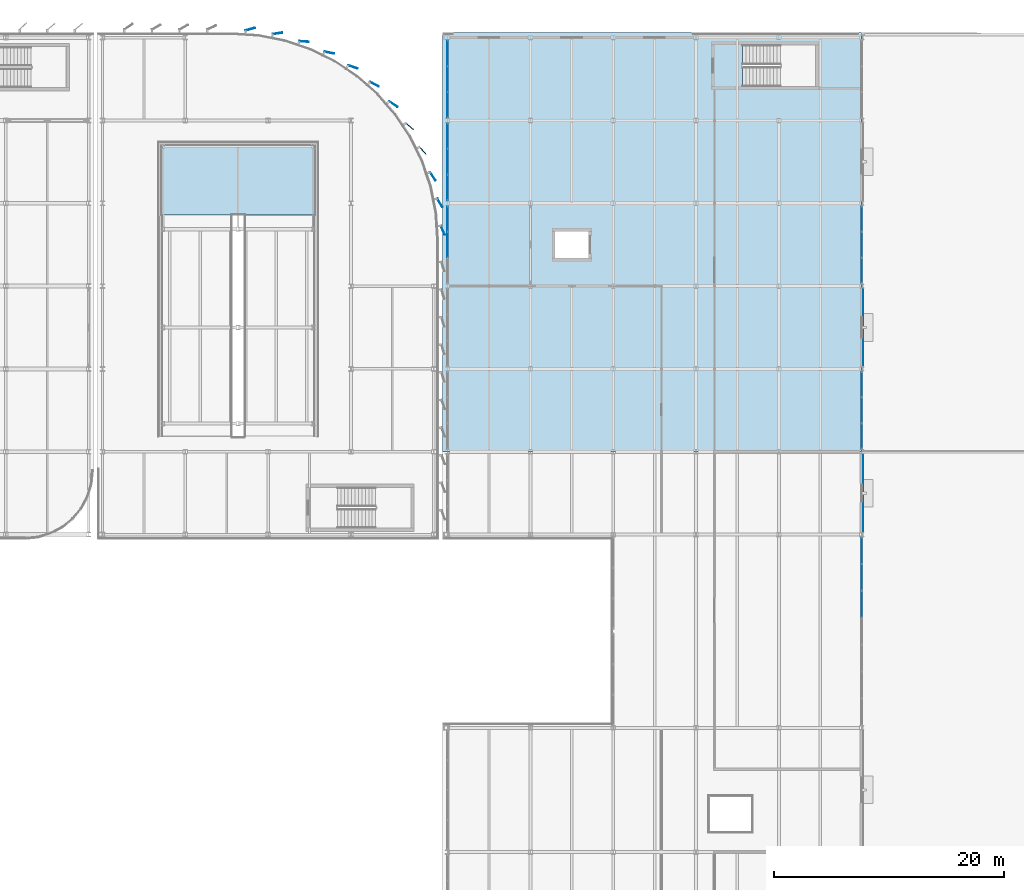
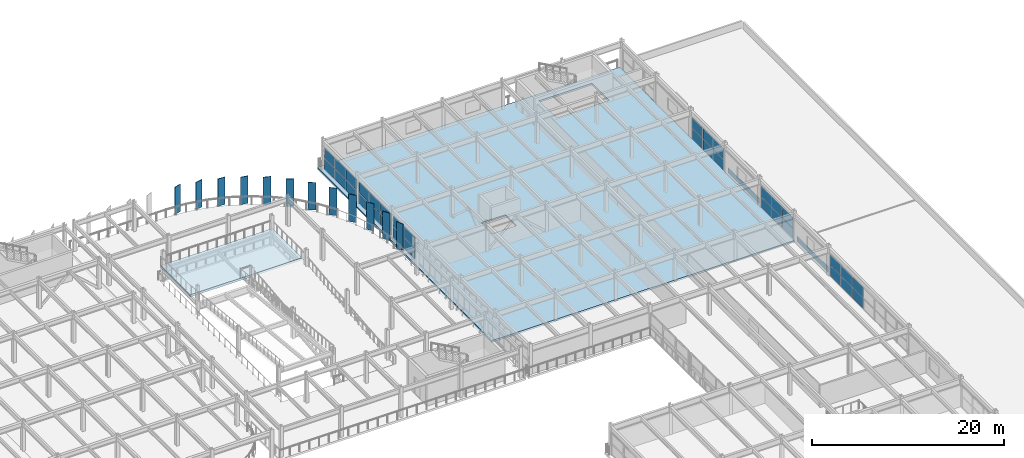
# One storey, part 46 of 80: 48 plates, 2 slabs, 6 elements without a shape of their own.
"""IFC4 building model written with IfcOpenShell, lengths in metres."""

from ifc_helpers import new_model, si_unit, direction, frame, origin, origin_2d, place, context, subcontext, project, spatial, polyline, rectangle, outline, extrude, material, layer, layer_set, type_object, element, aggregate, save


model = new_model("IFC4")

# Units and contexts
model_context = context("Model", 3, precision=1e-05, world=origin(), true_north=direction((0.0, 1.0)))
body_context = subcontext(model_context, "Body", "Model", "MODEL_VIEW")
ifc_project = project(units=[si_unit("LENGTHUNIT", "METRE"), si_unit("AREAUNIT", "SQUARE_METRE"), si_unit("VOLUMEUNIT", "CUBIC_METRE"), si_unit("PLANEANGLEUNIT", "RADIAN"), si_unit("MASSUNIT", "GRAM", prefix="KILO")], contexts=[model_context])

# Site, building, storey
site_placement = place(None, origin())
site = spatial("IfcSite", under=ifc_project, at=site_placement, CompositionType="ELEMENT")
building_placement = place(site_placement, origin())
building = spatial("IfcBuilding", under=site, at=building_placement, Name="Vaelcorin Mobility Hub", CompositionType="ELEMENT")
storey_placement = place(building_placement, frame((0.0, 0.0, 9.300048828125)))
storey = spatial("IfcBuildingStorey", under=building, at=storey_placement, Name="L02", CompositionType="ELEMENT", Elevation=9.300048828125)

# Curtain wall, plates
ifc_material_1 = material(Name="Anodised aluminium 6063-T6", Category="aluminium")
curtain_wall_type = type_object("IfcCurtainWallType", Name="CW-MOB-A", PredefinedType="NOTDEFINED", material=ifc_material_1)
curtain_wall_1_placement = place(storey_placement, origin())
curtain_wall_1 = element("IfcCurtainWall", 1, at=curtain_wall_1_placement, inside=storey, type_object=curtain_wall_type, Name="L02 Curtain Wall CW-V5-L02-E-08", PredefinedType="NOTDEFINED")
ifc_material_2 = material(Name="Low-E solar-control insulated glazing", Category="glass")
ifc_layer_1 = layer(ifc_material_2, 0.028076171875)
ifc_layer_set_1 = layer_set([ifc_layer_1], Name="Low-E solar-control insulated glazing")
plate_type_1 = type_object("IfcPlateType", Name="CW-PAN-GLZ28", PredefinedType="CURTAIN_PANEL", material=ifc_layer_set_1)
plate_1_placement = place(storey_placement, frame((189.60009765625, 75.396484375, 0.06005859375), z_axis=(0.0, 0.0, 1.0), x_axis=(0.0, -1.0, 0.0)))
plate_1 = element("IfcPlate", 2, at=plate_1_placement, type_object=plate_type_1, Name="CW7 panel 1.1", PredefinedType="CURTAIN_PANEL", context=body_context, shape_type="SweptSolid", body=[
    extrude(rectangle(XDim=2.2470703125, YDim=0.028076171875, at=origin_2d()), origin(), (0.0, 0.0, 1.0), 1.323974609375),
])
plate_2_placement = place(storey_placement, frame((189.60009765625, 75.396484375, 1.44384765625), z_axis=(0.0, 0.0, 1.0), x_axis=(0.0, -1.0, 0.0)))
plate_2 = element("IfcPlate", 3, at=plate_2_placement, type_object=plate_type_1, Name="CW7 panel 1.2", PredefinedType="CURTAIN_PANEL", context=body_context, shape_type="SweptSolid", body=[
    extrude(rectangle(XDim=2.2470703125, YDim=0.028076171875, at=origin_2d()), origin(), (0.0, 0.0, 1.0), 1.323974609375),
])
plate_3_placement = place(storey_placement, frame((189.60009765625, 73.07421875, 0.06005859375), z_axis=(0.0, 0.0, 1.0), x_axis=(0.0, -1.0, 0.0)))
plate_3 = element("IfcPlate", 4, at=plate_3_placement, type_object=plate_type_1, Name="CW7 panel 2.1", PredefinedType="CURTAIN_PANEL", context=body_context, shape_type="SweptSolid", body=[
    extrude(rectangle(XDim=2.277099609375, YDim=0.028076171875, at=origin_2d()), origin(), (0.0, 0.0, 1.0), 1.323974609375),
])
plate_4_placement = place(storey_placement, frame((189.60009765625, 73.07421875, 1.44384765625), z_axis=(0.0, 0.0, 1.0), x_axis=(0.0, -1.0, 0.0)))
plate_4 = element("IfcPlate", 5, at=plate_4_placement, type_object=plate_type_1, Name="CW7 panel 2.2", PredefinedType="CURTAIN_PANEL", context=body_context, shape_type="SweptSolid", body=[
    extrude(rectangle(XDim=2.277099609375, YDim=0.028076171875, at=origin_2d()), origin(), (0.0, 0.0, 1.0), 1.323974609375),
])
plate_5_placement = place(storey_placement, frame((189.60009765625, 70.737060546875, 0.06005859375), z_axis=(0.0, 0.0, 1.0), x_axis=(0.0, -1.0, 0.0)))
plate_5 = element("IfcPlate", 6, at=plate_5_placement, type_object=plate_type_1, Name="CW7 panel 3.1", PredefinedType="CURTAIN_PANEL", context=body_context, shape_type="SweptSolid", body=[
    extrude(rectangle(XDim=2.277099609375, YDim=0.028076171875, at=origin_2d()), origin(), (0.0, 0.0, 1.0), 1.323974609375),
])
plate_6_placement = place(storey_placement, frame((189.60009765625, 70.737060546875, 1.44384765625), z_axis=(0.0, 0.0, 1.0), x_axis=(0.0, -1.0, 0.0)))
plate_6 = element("IfcPlate", 7, at=plate_6_placement, type_object=plate_type_1, Name="CW7 panel 3.2", PredefinedType="CURTAIN_PANEL", context=body_context, shape_type="SweptSolid", body=[
    extrude(rectangle(XDim=2.277099609375, YDim=0.028076171875, at=origin_2d()), origin(), (0.0, 0.0, 1.0), 1.323974609375),
])
aggregate(curtain_wall_1, [plate_1, plate_2, plate_3, plate_4, plate_5, plate_6])

curtain_wall_2_placement = place(storey_placement, origin())
curtain_wall_2 = element("IfcCurtainWall", 8, at=curtain_wall_2_placement, inside=storey, type_object=curtain_wall_type, Name="L02 Curtain Wall CW-V5-L02-E-10", PredefinedType="NOTDEFINED")
plate_7_placement = place(storey_placement, frame((189.60009765625, 89.83837890625, 0.06005859375), z_axis=(0.0, 0.0, 1.0), x_axis=(0.0, -1.0, 0.0)))
plate_7 = element("IfcPlate", 9, at=plate_7_placement, type_object=plate_type_1, Name="CW7 panel 1.1", PredefinedType="CURTAIN_PANEL", context=body_context, shape_type="SweptSolid", body=[
    extrude(rectangle(XDim=2.163330078125, YDim=0.028076171875, at=origin_2d()), origin(), (0.0, 0.0, 1.0), 1.323974609375),
])
plate_8_placement = place(storey_placement, frame((189.60009765625, 89.83837890625, 1.44384765625), z_axis=(0.0, 0.0, 1.0), x_axis=(0.0, -1.0, 0.0)))
plate_8 = element("IfcPlate", 10, at=plate_8_placement, type_object=plate_type_1, Name="CW7 panel 1.2", PredefinedType="CURTAIN_PANEL", context=body_context, shape_type="SweptSolid", body=[
    extrude(rectangle(XDim=2.163330078125, YDim=0.028076171875, at=origin_2d()), origin(), (0.0, 0.0, 1.0), 1.323974609375),
])
plate_9_placement = place(storey_placement, frame((189.60009765625, 87.60009765625, 0.06005859375), z_axis=(0.0, 0.0, 1.0), x_axis=(0.0, -1.0, 0.0)))
plate_9 = element("IfcPlate", 11, at=plate_9_placement, type_object=plate_type_1, Name="CW7 panel 2.1", PredefinedType="CURTAIN_PANEL", context=body_context, shape_type="SweptSolid", body=[
    extrude(rectangle(XDim=2.193359375, YDim=0.028076171875, at=origin_2d()), origin(), (0.0, 0.0, 1.0), 1.323974609375),
])
plate_10_placement = place(storey_placement, frame((189.60009765625, 87.60009765625, 1.44384765625), z_axis=(0.0, 0.0, 1.0), x_axis=(0.0, -1.0, 0.0)))
plate_10 = element("IfcPlate", 12, at=plate_10_placement, type_object=plate_type_1, Name="CW7 panel 2.2", PredefinedType="CURTAIN_PANEL", context=body_context, shape_type="SweptSolid", body=[
    extrude(rectangle(XDim=2.193359375, YDim=0.028076171875, at=origin_2d()), origin(), (0.0, 0.0, 1.0), 1.323974609375),
])
plate_11_placement = place(storey_placement, frame((189.60009765625, 85.361572265625, 0.06005859375), z_axis=(0.0, 0.0, 1.0), x_axis=(0.0, -1.0, 0.0)))
plate_11 = element("IfcPlate", 13, at=plate_11_placement, type_object=plate_type_1, Name="CW7 panel 3.1", PredefinedType="CURTAIN_PANEL", context=body_context, shape_type="SweptSolid", body=[
    extrude(rectangle(XDim=2.163330078125, YDim=0.028076171875, at=origin_2d()), origin(), (0.0, 0.0, 1.0), 1.323974609375),
])
plate_12_placement = place(storey_placement, frame((189.60009765625, 85.361572265625, 1.44384765625), z_axis=(0.0, 0.0, 1.0), x_axis=(0.0, -1.0, 0.0)))
plate_12 = element("IfcPlate", 14, at=plate_12_placement, type_object=plate_type_1, Name="CW7 panel 3.2", PredefinedType="CURTAIN_PANEL", context=body_context, shape_type="SweptSolid", body=[
    extrude(rectangle(XDim=2.163330078125, YDim=0.028076171875, at=origin_2d()), origin(), (0.0, 0.0, 1.0), 1.323974609375),
])
aggregate(curtain_wall_2, [plate_7, plate_8, plate_9, plate_10, plate_11, plate_12])

curtain_wall_3_placement = place(storey_placement, origin())
curtain_wall_3 = element("IfcCurtainWall", 15, at=curtain_wall_3_placement, inside=storey, type_object=curtain_wall_type, Name="L02 Curtain Wall CW-V5-L02-E-12", PredefinedType="NOTDEFINED")
plate_13_placement = place(storey_placement, frame((189.60009765625, 104.23828125, 0.06005859375), z_axis=(0.0, 0.0, 1.0), x_axis=(0.0, -1.0, 0.0)))
plate_13 = element("IfcPlate", 16, at=plate_13_placement, type_object=plate_type_1, Name="CW7 panel 1.1", PredefinedType="CURTAIN_PANEL", context=body_context, shape_type="SweptSolid", body=[
    extrude(rectangle(XDim=2.163330078125, YDim=0.028076171875, at=origin_2d()), origin(), (0.0, 0.0, 1.0), 1.323974609375),
])
plate_14_placement = place(storey_placement, frame((189.60009765625, 104.23828125, 1.44384765625), z_axis=(0.0, 0.0, 1.0), x_axis=(0.0, -1.0, 0.0)))
plate_14 = element("IfcPlate", 17, at=plate_14_placement, type_object=plate_type_1, Name="CW7 panel 1.2", PredefinedType="CURTAIN_PANEL", context=body_context, shape_type="SweptSolid", body=[
    extrude(rectangle(XDim=2.163330078125, YDim=0.028076171875, at=origin_2d()), origin(), (0.0, 0.0, 1.0), 1.323974609375),
])
plate_15_placement = place(storey_placement, frame((189.60009765625, 102.0, 0.06005859375), z_axis=(0.0, 0.0, 1.0), x_axis=(0.0, -1.0, 0.0)))
plate_15 = element("IfcPlate", 18, at=plate_15_placement, type_object=plate_type_1, Name="CW7 panel 2.1", PredefinedType="CURTAIN_PANEL", context=body_context, shape_type="SweptSolid", body=[
    extrude(rectangle(XDim=2.193359375, YDim=0.028076171875, at=origin_2d()), origin(), (0.0, 0.0, 1.0), 1.323974609375),
])
plate_16_placement = place(storey_placement, frame((189.60009765625, 102.0, 1.44384765625), z_axis=(0.0, 0.0, 1.0), x_axis=(0.0, -1.0, 0.0)))
plate_16 = element("IfcPlate", 19, at=plate_16_placement, type_object=plate_type_1, Name="CW7 panel 2.2", PredefinedType="CURTAIN_PANEL", context=body_context, shape_type="SweptSolid", body=[
    extrude(rectangle(XDim=2.193359375, YDim=0.028076171875, at=origin_2d()), origin(), (0.0, 0.0, 1.0), 1.323974609375),
])
plate_17_placement = place(storey_placement, frame((189.60009765625, 99.76171875, 0.06005859375), z_axis=(0.0, 0.0, 1.0), x_axis=(0.0, -1.0, 0.0)))
plate_17 = element("IfcPlate", 20, at=plate_17_placement, type_object=plate_type_1, Name="CW7 panel 3.1", PredefinedType="CURTAIN_PANEL", context=body_context, shape_type="SweptSolid", body=[
    extrude(rectangle(XDim=2.163330078125, YDim=0.028076171875, at=origin_2d()), origin(), (0.0, 0.0, 1.0), 1.323974609375),
])
plate_18_placement = place(storey_placement, frame((189.60009765625, 99.76171875, 1.44384765625), z_axis=(0.0, 0.0, 1.0), x_axis=(0.0, -1.0, 0.0)))
plate_18 = element("IfcPlate", 21, at=plate_18_placement, type_object=plate_type_1, Name="CW7 panel 3.2", PredefinedType="CURTAIN_PANEL", context=body_context, shape_type="SweptSolid", body=[
    extrude(rectangle(XDim=2.163330078125, YDim=0.028076171875, at=origin_2d()), origin(), (0.0, 0.0, 1.0), 1.323974609375),
])
aggregate(curtain_wall_3, [plate_13, plate_14, plate_15, plate_16, plate_17, plate_18])

curtain_wall_4_placement = place(storey_placement, origin())
curtain_wall_4 = element("IfcCurtainWall", 22, at=curtain_wall_4_placement, inside=storey, type_object=curtain_wall_type, Name="L02 Curtain Wall CW-V5-L02-WN-04", PredefinedType="NOTDEFINED")
plate_19_placement = place(storey_placement, frame((153.60009765625, 102.0, 0.06005859375), z_axis=(0.0, 0.0, 1.0), x_axis=(0.0, 1.0, 0.0)))
plate_19 = element("IfcPlate", 23, at=plate_19_placement, type_object=plate_type_1, Name="CW7 panel 2.1", PredefinedType="CURTAIN_PANEL", context=body_context, shape_type="SweptSolid", body=[
    extrude(rectangle(XDim=2.193359375, YDim=0.028076171875, at=origin_2d()), origin(), (0.0, 0.0, 1.0), 1.323974609375),
])
plate_20_placement = place(storey_placement, frame((153.60009765625, 102.0, 1.44384765625), z_axis=(0.0, 0.0, 1.0), x_axis=(0.0, 1.0, 0.0)))
plate_20 = element("IfcPlate", 24, at=plate_20_placement, type_object=plate_type_1, Name="CW7 panel 2.2", PredefinedType="CURTAIN_PANEL", context=body_context, shape_type="SweptSolid", body=[
    extrude(rectangle(XDim=2.193359375, YDim=0.028076171875, at=origin_2d()), origin(), (0.0, 0.0, 1.0), 1.323974609375),
])
plate_21_placement = place(storey_placement, frame((153.60009765625, 104.23828125, 0.06005859375), z_axis=(0.0, 0.0, 1.0), x_axis=(0.0, 1.0, 0.0)))
plate_21 = element("IfcPlate", 25, at=plate_21_placement, type_object=plate_type_1, Name="CW7 panel 3.1", PredefinedType="CURTAIN_PANEL", context=body_context, shape_type="SweptSolid", body=[
    extrude(rectangle(XDim=2.163330078125, YDim=0.028076171875, at=origin_2d()), origin(), (0.0, 0.0, 1.0), 1.323974609375),
])
plate_22_placement = place(storey_placement, frame((153.60009765625, 104.23828125, 1.44384765625), z_axis=(0.0, 0.0, 1.0), x_axis=(0.0, 1.0, 0.0)))
plate_22 = element("IfcPlate", 26, at=plate_22_placement, type_object=plate_type_1, Name="CW7 panel 3.2", PredefinedType="CURTAIN_PANEL", context=body_context, shape_type="SweptSolid", body=[
    extrude(rectangle(XDim=2.163330078125, YDim=0.028076171875, at=origin_2d()), origin(), (0.0, 0.0, 1.0), 1.323974609375),
])
aggregate(curtain_wall_4, [plate_19, plate_20, plate_21, plate_22])

curtain_wall_5_placement = place(storey_placement, origin())
curtain_wall_5 = element("IfcCurtainWall", 27, at=curtain_wall_5_placement, inside=storey, type_object=curtain_wall_type, Name="L02 Curtain Wall CW-V5-L02-WN-05", PredefinedType="NOTDEFINED")
plate_23_placement = place(storey_placement, frame((153.60009765625, 106.961669921875, 0.06005859375), z_axis=(0.0, 0.0, 1.0), x_axis=(0.0, 1.0, 0.0)))
plate_23 = element("IfcPlate", 28, at=plate_23_placement, type_object=plate_type_1, Name="CW7 panel 1.1", PredefinedType="CURTAIN_PANEL", context=body_context, shape_type="SweptSolid", body=[
    extrude(rectangle(XDim=2.163330078125, YDim=0.028076171875, at=origin_2d()), origin(), (0.0, 0.0, 1.0), 1.323974609375),
])
plate_24_placement = place(storey_placement, frame((153.60009765625, 106.961669921875, 1.44384765625), z_axis=(0.0, 0.0, 1.0), x_axis=(0.0, 1.0, 0.0)))
plate_24 = element("IfcPlate", 29, at=plate_24_placement, type_object=plate_type_1, Name="CW7 panel 1.2", PredefinedType="CURTAIN_PANEL", context=body_context, shape_type="SweptSolid", body=[
    extrude(rectangle(XDim=2.163330078125, YDim=0.028076171875, at=origin_2d()), origin(), (0.0, 0.0, 1.0), 1.323974609375),
])
plate_25_placement = place(storey_placement, frame((153.60009765625, 109.199951171875, 0.06005859375), z_axis=(0.0, 0.0, 1.0), x_axis=(0.0, 1.0, 0.0)))
plate_25 = element("IfcPlate", 30, at=plate_25_placement, type_object=plate_type_1, Name="CW7 panel 2.1", PredefinedType="CURTAIN_PANEL", context=body_context, shape_type="SweptSolid", body=[
    extrude(rectangle(XDim=2.193359375, YDim=0.028076171875, at=origin_2d()), origin(), (0.0, 0.0, 1.0), 1.323974609375),
])
plate_26_placement = place(storey_placement, frame((153.60009765625, 109.199951171875, 1.44384765625), z_axis=(0.0, 0.0, 1.0), x_axis=(0.0, 1.0, 0.0)))
plate_26 = element("IfcPlate", 31, at=plate_26_placement, type_object=plate_type_1, Name="CW7 panel 2.2", PredefinedType="CURTAIN_PANEL", context=body_context, shape_type="SweptSolid", body=[
    extrude(rectangle(XDim=2.193359375, YDim=0.028076171875, at=origin_2d()), origin(), (0.0, 0.0, 1.0), 1.323974609375),
])
plate_27_placement = place(storey_placement, frame((153.60009765625, 111.438232421875, 0.06005859375), z_axis=(0.0, 0.0, 1.0), x_axis=(0.0, 1.0, 0.0)))
plate_27 = element("IfcPlate", 32, at=plate_27_placement, type_object=plate_type_1, Name="CW7 panel 3.1", PredefinedType="CURTAIN_PANEL", context=body_context, shape_type="SweptSolid", body=[
    extrude(rectangle(XDim=2.163330078125, YDim=0.028076171875, at=origin_2d()), origin(), (0.0, 0.0, 1.0), 1.323974609375),
])
plate_28_placement = place(storey_placement, frame((153.60009765625, 111.438232421875, 1.44384765625), z_axis=(0.0, 0.0, 1.0), x_axis=(0.0, 1.0, 0.0)))
plate_28 = element("IfcPlate", 33, at=plate_28_placement, type_object=plate_type_1, Name="CW7 panel 3.2", PredefinedType="CURTAIN_PANEL", context=body_context, shape_type="SweptSolid", body=[
    extrude(rectangle(XDim=2.163330078125, YDim=0.028076171875, at=origin_2d()), origin(), (0.0, 0.0, 1.0), 1.323974609375),
])
aggregate(curtain_wall_5, [plate_23, plate_24, plate_25, plate_26, plate_27, plate_28])

curtain_wall_6_placement = place(storey_placement, origin())
curtain_wall_6 = element("IfcCurtainWall", 34, at=curtain_wall_6_placement, inside=storey, type_object=curtain_wall_type, Name="L02 Curtain Wall CW-V5-L02-WN-06", PredefinedType="NOTDEFINED")
plate_29_placement = place(storey_placement, frame((153.60009765625, 114.16162109375, 0.06005859375), z_axis=(0.0, 0.0, 1.0), x_axis=(0.0, 1.0, 0.0)))
plate_29 = element("IfcPlate", 35, at=plate_29_placement, type_object=plate_type_1, Name="CW7 panel 1.1", PredefinedType="CURTAIN_PANEL", context=body_context, shape_type="SweptSolid", body=[
    extrude(rectangle(XDim=2.163330078125, YDim=0.028076171875, at=origin_2d()), origin(), (0.0, 0.0, 1.0), 1.323974609375),
])
plate_30_placement = place(storey_placement, frame((153.60009765625, 114.16162109375, 1.44384765625), z_axis=(0.0, 0.0, 1.0), x_axis=(0.0, 1.0, 0.0)))
plate_30 = element("IfcPlate", 36, at=plate_30_placement, type_object=plate_type_1, Name="CW7 panel 1.2", PredefinedType="CURTAIN_PANEL", context=body_context, shape_type="SweptSolid", body=[
    extrude(rectangle(XDim=2.163330078125, YDim=0.028076171875, at=origin_2d()), origin(), (0.0, 0.0, 1.0), 1.323974609375),
])
plate_31_placement = place(storey_placement, frame((153.60009765625, 116.39990234375, 0.06005859375), z_axis=(0.0, 0.0, 1.0), x_axis=(0.0, 1.0, 0.0)))
plate_31 = element("IfcPlate", 37, at=plate_31_placement, type_object=plate_type_1, Name="CW7 panel 2.1", PredefinedType="CURTAIN_PANEL", context=body_context, shape_type="SweptSolid", body=[
    extrude(rectangle(XDim=2.193359375, YDim=0.028076171875, at=origin_2d()), origin(), (0.0, 0.0, 1.0), 1.323974609375),
])
plate_32_placement = place(storey_placement, frame((153.60009765625, 116.39990234375, 1.44384765625), z_axis=(0.0, 0.0, 1.0), x_axis=(0.0, 1.0, 0.0)))
plate_32 = element("IfcPlate", 38, at=plate_32_placement, type_object=plate_type_1, Name="CW7 panel 2.2", PredefinedType="CURTAIN_PANEL", context=body_context, shape_type="SweptSolid", body=[
    extrude(rectangle(XDim=2.193359375, YDim=0.028076171875, at=origin_2d()), origin(), (0.0, 0.0, 1.0), 1.323974609375),
])
plate_33_placement = place(storey_placement, frame((153.60009765625, 118.638427734375, 0.06005859375), z_axis=(0.0, 0.0, 1.0), x_axis=(0.0, 1.0, 0.0)))
plate_33 = element("IfcPlate", 39, at=plate_33_placement, type_object=plate_type_1, Name="CW7 panel 3.1", PredefinedType="CURTAIN_PANEL", context=body_context, shape_type="SweptSolid", body=[
    extrude(rectangle(XDim=2.163330078125, YDim=0.028076171875, at=origin_2d()), origin(), (0.0, 0.0, 1.0), 1.323974609375),
])
plate_34_placement = place(storey_placement, frame((153.60009765625, 118.638427734375, 1.44384765625), z_axis=(0.0, 0.0, 1.0), x_axis=(0.0, 1.0, 0.0)))
plate_34 = element("IfcPlate", 40, at=plate_34_placement, type_object=plate_type_1, Name="CW7 panel 3.2", PredefinedType="CURTAIN_PANEL", context=body_context, shape_type="SweptSolid", body=[
    extrude(rectangle(XDim=2.163330078125, YDim=0.028076171875, at=origin_2d()), origin(), (0.0, 0.0, 1.0), 1.323974609375),
])
aggregate(curtain_wall_6, [plate_29, plate_30, plate_31, plate_32, plate_33, plate_34])

# Plates
ifc_material_3 = material(Name="Extruded terracotta-bronze rainscreen panel", Category="masonry")
ifc_layer_2 = layer(ifc_material_3, 0.01806640625)
ifc_layer_set_2 = layer_set([ifc_layer_2], Name="Extruded terracotta-bronze rainscreen panel")
plate_type_2 = type_object("IfcPlateType", Name="PL-CLAD-18", PredefinedType="SHEET", material=ifc_layer_set_2)
plate_35_placement = place(storey_placement, frame((189.739013671875, 80.39990234375, 0.0498046875), z_axis=(0.0, 0.0, 1.0), x_axis=(1.0, 0.0, 0.0)))
element("IfcPlate", 41, at=plate_35_placement, inside=storey, type_object=plate_type_2, Name="Terracotta-Bronze Rainscreen Spandrel L02-09", PredefinedType="SHEET", context=body_context, shape_type="SweptSolid", body=[
    extrude(rectangle(XDim=0.01806640625, YDim=6.60009765625, at=origin_2d()), origin(), (0.0, 0.0, 1.0), 0.699951171875),
])
ifc_layer_3 = layer(ifc_material_3, 0.02197265625)
ifc_layer_set_3 = layer_set([ifc_layer_3], Name="Extruded terracotta-bronze rainscreen panel")
plate_type_3 = type_object("IfcPlateType", Name="PL-CLAD-22", PredefinedType="SHEET", material=ifc_layer_set_3)
plate_36_placement = place(storey_placement, frame((189.740966796875, 94.800048828125, 0.0498046875), z_axis=(0.0, 0.0, 1.0), x_axis=(1.0, 0.0, 0.0)))
element("IfcPlate", 42, at=plate_36_placement, inside=storey, type_object=plate_type_3, Name="Terracotta-Bronze Rainscreen Spandrel L02-11", PredefinedType="SHEET", context=body_context, shape_type="SweptSolid", body=[
    extrude(rectangle(XDim=0.02197265625, YDim=6.60009765625, at=origin_2d()), origin(), (0.0, 0.0, 1.0), 0.699951171875),
])
ifc_material_4 = material(Name="Perforated terracotta-bronze aluminium aerofoil", Category="masonry")
ifc_layer_4 = layer(ifc_material_4, 0.06005859375)
ifc_layer_set_4 = layer_set([ifc_layer_4], Name="Perforated terracotta-bronze aluminium aerofoil")
plate_type_4 = type_object("IfcPlateType", Name="PL-FIN-AF1", PredefinedType="SHEET", material=ifc_layer_set_4)
for number, where, z_axis, x_axis, name in (
    (43, (153.18408203125, 103.2509765625, -0.16015625), (0.0, 0.0, 1.0), (0.402762664996, -0.915304449724, 0.0), "Rotating Terracotta-Bronze Aerofoil Fin FIN-V2E-L02-ARC-01"),
    (44, (152.922119140625, 105.636962890625, -0.16015625), (0.0, 0.0, 1.0), (0.51859419446, -0.855020503539, 0.0), "Rotating Terracotta-Bronze Aerofoil Fin FIN-V2E-L02-ARC-02"),
    (45, (152.322021484375, 107.947021484375, -0.16015625), (0.0, 0.0, 1.0), (0.555686322663, -0.831392031959, 0.0), "Rotating Terracotta-Bronze Aerofoil Fin FIN-V2E-L02-ARC-03"),
    (46, (151.455078125, 110.180908203125, -0.16015625), (0.0, 0.0, 1.0), (0.659477025858, -0.751724718475, 0.0), "Rotating Terracotta-Bronze Aerofoil Fin FIN-V2E-L02-ARC-04"),
    (47, (150.302978515625, 112.281982421875, -0.16015625), (0.0, 0.0, 1.0), (0.751770756824, -0.659424543965, 0.0), "Rotating Terracotta-Bronze Aerofoil Fin FIN-V2E-L02-ARC-05"),
    (48, (148.887939453125, 114.215087890625, -0.16015625), (0.0, 0.0, 1.0), (0.831421126488, -0.555642790316, 0.0), "Rotating Terracotta-Bronze Aerofoil Fin FIN-V2E-L02-ARC-06"),
    (49, (147.23193359375, 115.947021484375, -0.16015625), (0.0, 0.0, 1.0), (0.896911335087, -0.442210421623, 0.0), "Rotating Terracotta-Bronze Aerofoil Fin FIN-V2E-L02-ARC-07"),
    (50, (145.364990234375, 117.447021484375, -0.16015625), (0.0, 0.0, 1.0), (0.946963785365, -0.32134030125, 0.0), "Rotating Terracotta-Bronze Aerofoil Fin FIN-V2E-L02-ARC-08"),
    (51, (143.31689453125, 118.69091796875, -0.16015625), (0.0, 0.0, 1.0), (0.980751215781, -0.195261498368, 0.0), "Rotating Terracotta-Bronze Aerofoil Fin FIN-V2E-L02-ARC-09"),
    (52, (141.125, 119.657958984375, -0.16015625), (0.0, 0.0, 1.0), (0.997849781512, -0.065542455982, 0.0), "Rotating Terracotta-Bronze Aerofoil Fin FIN-V2E-L02-ARC-10"),
    (53, (138.821044921875, 120.366943359375, -0.16015625), (0.0, 0.0, 1.0), (0.988329628143, 0.152330384803, 0.0), "Rotating Terracotta-Bronze Aerofoil Fin FIN-V2E-L02-ARC-11"),
    (54, (136.447998046875, 120.73095703125, -0.16015625), (0.0, 0.0, 1.0), (0.960054738177, 0.279812257957, 0.0), "Rotating Terracotta-Bronze Aerofoil Fin FIN-V2E-L02-ARC-12"),
):
    element("IfcPlate", number, at=place(storey_placement, frame(where, z_axis=z_axis, x_axis=x_axis)), inside=storey, type_object=plate_type_4, Name=name, PredefinedType="SHEET", context=body_context, shape_type="SweptSolid", body=[
        extrude(rectangle(XDim=0.85009765625, YDim=0.06005859375, at=origin_2d()), origin(), (0.0, 0.0, 1.0), 3.5),
    ])

# Slabs
ifc_material_5 = material(Name="Concrete f'c 35 MPa", Category="concrete")
ifc_layer_5 = layer(ifc_material_5, 0.22998046875)
ifc_layer_set_5 = layer_set([ifc_layer_5], Name="Concrete f'c 35 MPa")
slab_type_1 = type_object("IfcSlabType", Name="SLAB-PK3", PredefinedType="FLOOR", material=ifc_layer_set_5)
slab_1_placement = place(storey_placement, frame((0.0, 0.0, -0.22998046875)))
element("IfcSlab", 55, at=slab_1_placement, inside=storey, type_object=slab_type_1, Name="L02 Mobility Workshop Floor SL-V5-L02-N", PredefinedType="FLOOR", context=body_context, shape_type="SweptSolid", body=[
    extrude(outline(polyline([(153.14990234375, 84.0), (153.14990234375, 120.449951171875), (189.60009765625, 120.449951171875), (189.60009765625, 84.0), (153.14990234375, 84.0)]), holes=[polyline([(165.85009765625, 103.14990234375), (162.949951171875, 103.14990234375), (162.949951171875, 100.85009765625), (165.85009765625, 100.85009765625), (165.85009765625, 103.14990234375)]), polyline([(185.60009765625, 119.35009765625), (179.2548828125, 119.35009765625), (179.2548828125, 115.75), (185.60009765625, 115.75), (185.60009765625, 119.35009765625)])]), origin(), (0.0, 0.0, 1.0), 0.22998046875),
])
ifc_layer_6 = layer(ifc_material_5, 0.25)
ifc_layer_set_6 = layer_set([ifc_layer_6], Name="Concrete f'c 35 MPa")
slab_type_2 = type_object("IfcSlabType", Name="SLAB-RMP", PredefinedType="FLOOR", material=ifc_layer_set_6)
slab_2_placement = place(storey_placement, frame((0.0, 0.0, 1.669921875)))
element("IfcSlab", 56, at=slab_2_placement, inside=storey, type_object=slab_type_2, Name="Vehicle Ramp VR-2 L02 Half-Turn Landing", PredefinedType="LANDING", context=body_context, shape_type="SweptSolid", body=[
    extrude(outline(polyline([(128.64990234375, 104.56005859375), (142.14990234375, 104.56005859375), (142.14990234375, 110.75), (128.64990234375, 110.75), (128.64990234375, 104.56005859375)])), origin(), (0.0, 0.0, 1.0), 0.280029296875),
])

save(model, "model.ifc")
